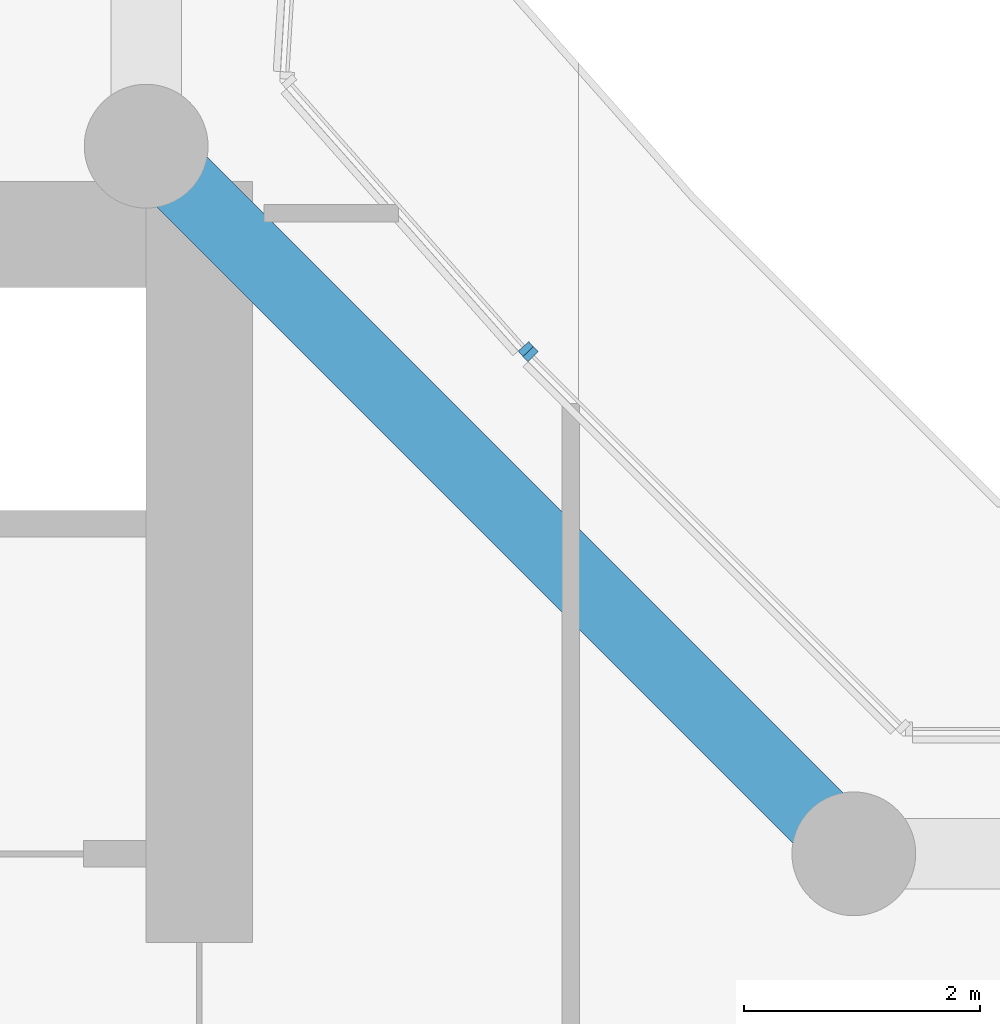
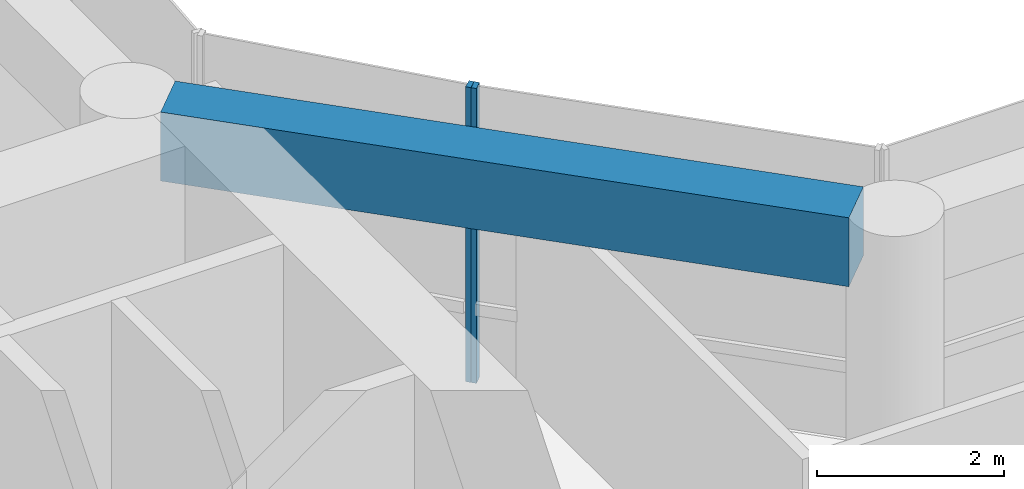
# One storey, part 5 of 27: 2 members, 1 beam, 2 elements without a shape of their own.
"""IFC4 building model written with IfcOpenShell, lengths in metres."""

from ifc_helpers import new_model, si_unit, direction, frame, origin, origin_2d, place, context, subcontext, project, spatial, rectangle, extrude, material, layer, layer_set, material_profile, profile_set, type_object, element, aggregate, save


model = new_model("IFC4")

# Units and contexts
model_context = context("Model", 3, precision=1e-05, world=origin(), true_north=direction((0.0, 1.0)))
body_context = subcontext(model_context, "Body", "Model", "MODEL_VIEW")
ifc_project = project(units=[si_unit("LENGTHUNIT", "METRE"), si_unit("AREAUNIT", "SQUARE_METRE"), si_unit("VOLUMEUNIT", "CUBIC_METRE"), si_unit("PLANEANGLEUNIT", "RADIAN"), si_unit("MASSUNIT", "GRAM", prefix="KILO")], contexts=[model_context])

# Site, building, storey
site_placement = place(None, origin())
site = spatial("IfcSite", under=ifc_project, at=site_placement, CompositionType="ELEMENT")
building_placement = place(site_placement, origin())
building = spatial("IfcBuilding", under=site, at=building_placement, Name="Welwitschia Terrace Campus", CompositionType="ELEMENT")
storey_placement = place(building_placement, frame((0.0, 0.0, 37.39990234375)))
storey = spatial("IfcBuildingStorey", under=building, at=storey_placement, Name="L08", CompositionType="ELEMENT", Elevation=37.39990234375)

# Curtain wall, member
ifc_material_1 = material(Name="Bronze anodised aluminium", Category="aluminium")
ifc_layer = layer(ifc_material_1, 0.1201171875)
ifc_layer_set = layer_set([ifc_layer], Name="Bronze anodised aluminium")
curtain_wall_type = type_object("IfcCurtainWallType", Name="Curtain wall CW2 tower 6000", PredefinedType="NOTDEFINED", material=ifc_layer_set)
curtain_wall_1_placement = place(storey_placement, origin())
curtain_wall_1 = element("IfcCurtainWall", 1, at=curtain_wall_1_placement, inside=storey, type_object=curtain_wall_type, Name="CW L08.9.0", PredefinedType="NOTDEFINED")
ifc_material_2 = material(Name="Bronze anodised aluminium", Category="aluminium")
ifc_material_profile_1 = material_profile(ifc_material_2, rectangle(XDim=0.1201171875, YDim=0.06005859375, at=origin_2d()))
ifc_profile_set_1 = profile_set([ifc_material_profile_1], Name="Bronze anodised aluminium")
member_type = type_object("IfcMemberType", Name="Mullion 60x120", PredefinedType="MULLION", material=ifc_profile_set_1)
member_1_placement = place(storey_placement, frame((27.26025390625, 24.236083984375, 0.0), z_axis=(0.0, 0.0, 1.0), x_axis=(-0.707106781187, -0.707106781187, 0.0)))
member_1 = element("IfcMember", 2, at=member_1_placement, type_object=member_type, Name="Mullion L08.9.0.1", PredefinedType="MULLION", context=body_context, shape_type="SweptSolid", body=[
    extrude(rectangle(XDim=0.1201171875, YDim=0.06005859375, at=origin_2d()), origin(), (0.0, 0.0, 1.0), 3.85009765625),
])
aggregate(curtain_wall_1, [member_1])

curtain_wall_2_placement = place(storey_placement, origin())
curtain_wall_2 = element("IfcCurtainWall", 3, at=curtain_wall_2_placement, inside=storey, type_object=curtain_wall_type, Name="CW L08.10.0", PredefinedType="NOTDEFINED")
member_2_placement = place(storey_placement, frame((27.218994140625, 24.27978515625, 0.0), z_axis=(0.0, 0.0, 1.0), x_axis=(-0.748955720789, -0.662620048216, 0.0)))
member_2 = element("IfcMember", 4, at=member_2_placement, type_object=member_type, Name="Mullion L08.10.0.0", PredefinedType="MULLION", context=body_context, shape_type="SweptSolid", body=[
    extrude(rectangle(XDim=0.1201171875, YDim=0.06005859375, at=origin_2d()), origin(), (0.0, 0.0, 1.0), 3.85009765625),
])
aggregate(curtain_wall_2, [member_2])

# Beam
ifc_material_3 = material(Name="Concrete C60/75", Category="concrete")
ifc_material_profile_2 = material_profile(ifc_material_3, rectangle(XDim=0.60009765625, YDim=0.89990234375, at=origin_2d()))
ifc_profile_set_2 = profile_set([ifc_material_profile_2], Name="Concrete C60/75")
beam_type = type_object("IfcBeamType", Name="Ring spandrel 600x900", PredefinedType="SPANDREL", material=ifc_profile_set_2)
beam_placement = place(storey_placement, frame((29.69482421875, 20.30517578125, 3.400146484375), z_axis=(-0.707106781187, 0.707106781187, 0.0), x_axis=(-0.707106781187, -0.707106781187, 0.0)))
element("IfcBeam", 5, at=beam_placement, inside=storey, type_object=beam_type, Name="Spandrel SP2", PredefinedType="SPANDREL", context=body_context, shape_type="SweptSolid", body=[
    extrude(rectangle(XDim=0.60009765625, YDim=0.89990234375, at=origin_2d()), origin(), (0.0, 0.0, 1.0), 7.6220703125),
])

save(model, "model.ifc")
